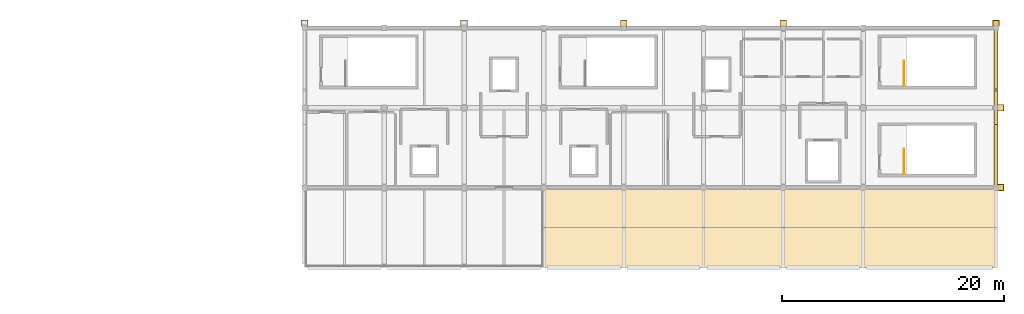
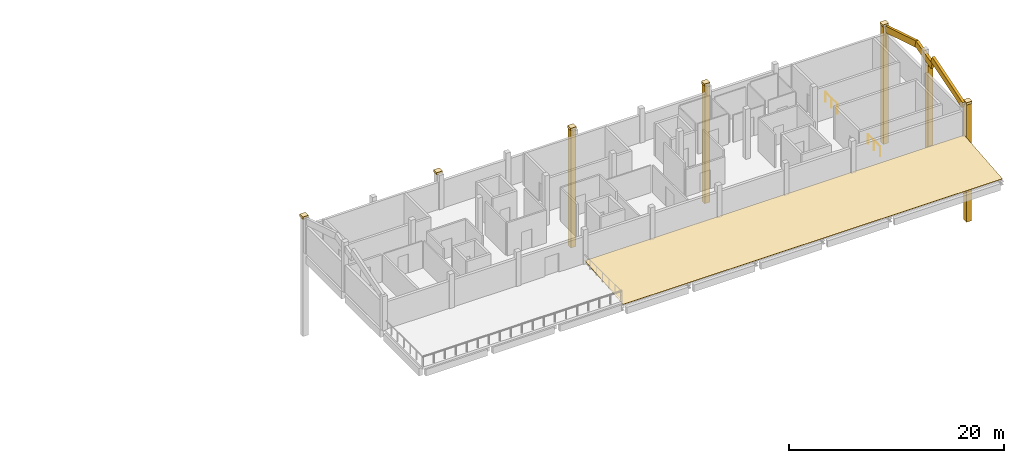
# One storey, part 8 of 8: 16 coverings, 2 railings, 1 element without a shape of its own.
"""IFC4 building model written with IfcOpenShell, lengths in metres."""

import ifcopenshell
import ifcopenshell.guid

model = None  # the IFC model being written
_history = None  # IfcOwnerHistory: only IFC2X3 demands one
_inside = {}  # id of a spatial element -> (the spatial element, [elements in it])
_under = {}  # id of a project, library or spatial element -> (it, [spatial elements below it])
_declared = {}  # id of a project -> (the project, [libraries it declares])
_typed = {}  # id of a type object -> (the type object, [elements of that type])
_made_of = {}  # id of a material, layer set ... -> (it, [elements and type objects made of it])


def new_model(schema):
    """Start an empty IFC model of exactly this schema.

    Asked for "IFC4X3", IfcOpenShell would pick the latest addendum, in which some entities
    have other attributes; the version numbers below select the first issue.
    IFC2X3 requires an IfcOwnerHistory on every rooted entity: one is made here for all.
    """
    global model, _history
    if schema == "IFC4X3":
        model = ifcopenshell.file(schema_version=(4, 3, 0, 0))
    else:
        model = ifcopenshell.file(schema=schema)
    _inside.clear()
    _under.clear()
    _declared.clear()
    _typed.clear()
    _made_of.clear()
    _history = None
    if model.schema == "IFC2X3":
        org = make("IfcOrganization", Name="unknown")
        user = make(
            "IfcPersonAndOrganization",
            ThePerson=make("IfcPerson", FamilyName="unknown"),
            TheOrganization=org,
        )
        app = make(
            "IfcApplication",
            ApplicationDeveloper=org,
            Version="unknown",
            ApplicationFullName="unknown",
            ApplicationIdentifier="unknown",
        )
        _history = make(
            "IfcOwnerHistory",
            OwningUser=user,
            OwningApplication=app,
            ChangeAction="ADDED",
            CreationDate=0,
        )
    return model


def make(cls, **values):
    """One entity of the class cls with the attributes given. An attribute that is None is left unset."""
    return model.create_entity(
        cls, **{name: value for name, value in values.items() if value is not None}
    )


def rooted(cls, **values):
    """An entity with a GlobalId (a new one), such as an element, a storey or a relation."""
    return make(cls, GlobalId=ifcopenshell.guid.new(), OwnerHistory=_history, **values)


def si_unit(unit_type, name, prefix=None):
    """IfcSIUnit, for example si_unit("LENGTHUNIT", "METRE", prefix="MILLI")."""
    return make("IfcSIUnit", UnitType=unit_type, Prefix=prefix, Name=name)


def assignment(units):
    """IfcUnitAssignment: the units of a project."""
    return None if units is None else make("IfcUnitAssignment", Units=units)


def point(xyz):
    """IfcCartesianPoint."""
    return None if xyz is None else make("IfcCartesianPoint", Coordinates=xyz)


def direction(xyz):
    """IfcDirection."""
    return None if xyz is None else make("IfcDirection", DirectionRatios=xyz)


def frame(location, z_axis=None, x_axis=None):
    """IfcAxis2Placement3D, a coordinate frame: its origin and axes. An axis left out is left unset."""
    return make(
        "IfcAxis2Placement3D",
        Location=point(location),
        Axis=direction(z_axis),
        RefDirection=direction(x_axis),
    )


def frame_2d(location, x_axis=None):
    """IfcAxis2Placement2D, a coordinate frame in the plane: its origin and x axis."""
    return make(
        "IfcAxis2Placement2D", Location=point(location), RefDirection=direction(x_axis)
    )


def origin():
    """The frame at (0, 0, 0) with its axes left unset."""
    return frame((0.0, 0.0, 0.0))


def origin_2d():
    """The frame at (0, 0) in the plane with its x axis left unset."""
    return frame_2d((0.0, 0.0))


def place(relative_to, where):
    """IfcLocalPlacement: puts the frame where relative to a parent placement (None: the world)."""
    return make(
        "IfcLocalPlacement", PlacementRelTo=relative_to, RelativePlacement=where
    )


def context(
    kind, dimensions, precision=None, world=None, true_north=None, identifier=None
):
    """IfcGeometricRepresentationContext, for example the 3D "Model" context."""
    return make(
        "IfcGeometricRepresentationContext",
        ContextIdentifier=identifier,
        ContextType=kind,
        CoordinateSpaceDimension=dimensions,
        Precision=precision,
        WorldCoordinateSystem=world,
        TrueNorth=true_north,
    )


def subcontext(parent, identifier, kind, view, scale=None):
    """IfcGeometricRepresentationSubContext, for example "Body" below "Model"."""
    return make(
        "IfcGeometricRepresentationSubContext",
        ContextIdentifier=identifier,
        ContextType=kind,
        ParentContext=parent,
        TargetScale=scale,
        TargetView=view,
    )


def project(units=None, contexts=None):
    """IfcProject with its units and contexts."""
    return rooted(
        "IfcProject",
        Name="project",
        RepresentationContexts=contexts,
        UnitsInContext=assignment(units),
    )


def spatial(cls, under=None, at=None, **own):
    """A site, building, storey or space (cls), placed at a placement, below another one or the project."""
    s = rooted(cls, ObjectPlacement=at, **own)
    if under is not None:
        _under.setdefault(under.id(), (under, []))[1].append(s)
    return s


def polyline(points):
    """IfcPolyline through the points."""
    return make("IfcPolyline", Points=[point(p) for p in points])


def profile(cls, at=None, kind="AREA", **sizes):
    """A parametric profile (cls). Its sizes go by their IFC names, for example OverallWidth=200.0."""
    return make(cls, ProfileType=kind, Position=at, **sizes)


def circle(**sizes):
    """IfcCircleProfileDef."""
    return profile("IfcCircleProfileDef", **sizes)


def outline(outer, holes=None, kind="AREA"):
    """IfcArbitraryClosedProfileDef: a profile drawn as a closed curve; with holes, ...WithVoids."""
    if holes is None:
        return make("IfcArbitraryClosedProfileDef", ProfileType=kind, OuterCurve=outer)
    return make(
        "IfcArbitraryProfileDefWithVoids",
        ProfileType=kind,
        OuterCurve=outer,
        InnerCurves=holes,
    )


def extrude(swept, where, along, depth):
    """IfcExtrudedAreaSolid: the profile swept, set in the frame where, extruded along a direction by depth."""
    return make(
        "IfcExtrudedAreaSolid",
        SweptArea=swept,
        Position=where,
        ExtrudedDirection=direction(along),
        Depth=depth,
    )


def shape(context_of_items, identifier, shape_type, items):
    """IfcShapeRepresentation: the items that make up one representation, for example the "Body"."""
    return make(
        "IfcShapeRepresentation",
        ContextOfItems=context_of_items,
        RepresentationIdentifier=identifier,
        RepresentationType=shape_type,
        Items=items,
    )


def material(Name=None, Category=None):
    """IfcMaterial."""
    return make("IfcMaterial", Name=Name, Category=Category)


def layer(
    of_material, thickness, ventilated=None, Name=None, Category=None, Priority=None
):
    """IfcMaterialLayer: one layer of a wall or slab, of a material (None: an air gap)."""
    return make(
        "IfcMaterialLayer",
        Material=of_material,
        LayerThickness=thickness,
        IsVentilated=ventilated,
        Name=Name,
        Category=Category,
        Priority=Priority,
    )


def layer_set(layers, Name=None):
    """IfcMaterialLayerSet."""
    return make("IfcMaterialLayerSet", MaterialLayers=layers, LayerSetName=Name)


def made_of(thing, what):
    """Note that an element or type object is made of a material, layer set ...; save() writes the relation."""
    if what is not None:
        _made_of.setdefault(what.id(), (what, []))[1].append(thing)
    return thing


def type_object(cls, material=None, **own):
    """A type object (cls), such as IfcWallType, which elements share."""
    return made_of(rooted(cls, **own), material)


def element(
    cls,
    number,
    at=None,
    inside=None,
    cuts=None,
    type_object=None,
    material=None,
    context=None,
    identifier="Body",
    shape_type=None,
    held_by="IfcProductDefinitionShape",
    body=None,
    shapes=None,
    **own,
):
    """One element of the class cls, such as IfcWall. Its Tag is "e" and its number.

    at: its placement. inside: the storey or other place that contains it. cuts: it is an
    opening in that element (IfcRelVoidsElement). A single representation is given by context,
    identifier, shape_type and body (its items); several are given by shapes. held_by: the class
    of the entity that holds the representations. save() writes the other relations.
    """
    e = rooted(cls, Tag="e%d" % number, ObjectPlacement=at, **own)
    if body is not None:
        shapes = [shape(context, identifier, shape_type, body)]
    if shapes is not None:
        e.Representation = make(held_by, Representations=shapes)
    if inside is not None:
        _inside.setdefault(inside.id(), (inside, []))[1].append(e)
    if cuts is not None:
        rooted(
            "IfcRelVoidsElement", RelatingBuildingElement=cuts, RelatedOpeningElement=e
        )
    if type_object is not None:
        _typed.setdefault(type_object.id(), (type_object, []))[1].append(e)
    return made_of(e, material)


def aggregate(whole, parts):
    """IfcRelAggregates: a whole, such as a stair, and the parts it consists of."""
    return rooted("IfcRelAggregates", RelatingObject=whole, RelatedObjects=parts)


def save(model, path):
    """Write the relations noted so far, then the file.

    IfcRelAggregates (storeys below a building ...), IfcRelContainedInSpatialStructure (elements
    in a storey), IfcRelDefinesByType, IfcRelAssociatesMaterial and IfcRelDeclares: one each for
    every whole, place, type object, material and project.
    """
    for whole, parts in _under.values():
        aggregate(whole, parts)
    for where, things in _inside.values():
        rooted(
            "IfcRelContainedInSpatialStructure",
            RelatedElements=things,
            RelatingStructure=where,
        )
    for kind, things in _typed.values():
        rooted("IfcRelDefinesByType", RelatedObjects=things, RelatingType=kind)
    for what, things in _made_of.values():
        rooted("IfcRelAssociatesMaterial", RelatedObjects=things, RelatingMaterial=what)
    for by, libraries in _declared.values():
        rooted("IfcRelDeclares", RelatingContext=by, RelatedDefinitions=libraries)
    model.write(path)


model = new_model("IFC4")

# Units and contexts
model_context = context("Model", 3, precision=1e-05, world=origin(), true_north=direction((0.0, 1.0)))
body_context = subcontext(model_context, "Body", "Model", "MODEL_VIEW")
ifc_project = project(units=[si_unit("LENGTHUNIT", "METRE"), si_unit("AREAUNIT", "SQUARE_METRE"), si_unit("VOLUMEUNIT", "CUBIC_METRE"), si_unit("PLANEANGLEUNIT", "RADIAN"), si_unit("MASSUNIT", "GRAM", prefix="KILO")], contexts=[model_context])

# Site, building, storey
site_placement = place(None, origin())
site = spatial("IfcSite", under=ifc_project, at=site_placement, CompositionType="ELEMENT")
building_placement = place(site_placement, origin())
building = spatial("IfcBuilding", under=site, at=building_placement, Name="Cendralis Lancet Convention Centre", CompositionType="ELEMENT")
storey_placement = place(building_placement, frame((0.0, 0.0, 24.60009765625)))
storey = spatial("IfcBuildingStorey", under=building, at=storey_placement, Name="L05", CompositionType="ELEMENT", Elevation=24.60009765625)

# Coverings
ifc_material_1 = material(Name="Warm buff sandstone chevron cassette", Category="masonry")
ifc_layer_1 = layer(ifc_material_1, 0.06005859375, Name="Warm buff sandstone chevron cassette")
ifc_layer_set_1 = layer_set([ifc_layer_1], Name="Warm buff sandstone chevron cassette")
covering_type_1 = type_object("IfcCoveringType", Name="ARC-CV-CLAD1", PredefinedType="CLADDING", material=ifc_layer_set_1)
covering_1_placement = place(storey_placement, frame((208.659912109375, 21.60009765625, 3.919921875), z_axis=(0.0, -0.295031857828, 0.955487416383), x_axis=(1.0, 0.0, 0.0)))
element("IfcCovering", 1, at=covering_1_placement, inside=storey, type_object=covering_type_1, Name="Cordillera Crown Stone Gable Spandrel S-209", PredefinedType="CLADDING", context=body_context, shape_type="SweptSolid", body=[
    extrude(outline(polyline([(0.0, 0.0), (0.280029296875, 0.0), (0.280029296875, 5.965490569672753), (0.0, 5.965490569672753), (0.0, 0.0)])), origin(), (0.0, 0.0, -1.0), 0.719970703125),
])
covering_2_placement = place(storey_placement, frame((208.659912109375, 27.300048828125, 4.919921875), z_axis=(0.0, -0.245578582691, 0.969376686187), x_axis=(1.0, 0.0, 0.0)))
element("IfcCovering", 2, at=covering_2_placement, inside=storey, type_object=covering_type_1, Name="Cordillera Crown Stone Gable Spandrel M-209", PredefinedType="CLADDING", context=body_context, shape_type="SweptSolid", body=[
    extrude(outline(polyline([(0.0, 0.0), (0.280029296875, 0.0), (0.280029296875, 3.09477217963542), (0.0, 3.09477217963542), (0.0, 0.0)])), origin(), (0.0, 0.0, -1.0), 0.719970703125),
])
covering_3_placement = place(storey_placement, frame((208.659912109375, 30.300048828125, 5.679931640625), z_axis=(0.0, 0.295031857828, 0.955487416383), x_axis=(1.0, 0.0, 0.0)))
element("IfcCovering", 3, at=covering_3_placement, inside=storey, type_object=covering_type_1, Name="Cordillera Crown Stone Gable Spandrel N-209", PredefinedType="CLADDING", context=body_context, shape_type="SweptSolid", body=[
    extrude(outline(polyline([(0.0, 0.0), (0.280029296875, 0.0), (0.280029296875, 5.965490569672753), (0.0, 5.965490569672753), (0.0, 0.0)])), origin(), (0.0, 0.0, -1.0), 0.719970703125),
])
covering_4_placement = place(storey_placement, frame((0.0, 0.0, -9.60009765625)))
element("IfcCovering", 4, at=covering_4_placement, inside=storey, type_object=covering_type_1, Name="Gothic Stepped Stone Buttress Shaft #0083", PredefinedType="CLADDING", context=body_context, shape_type="SweptSolid", body=[
    extrude(outline(polyline([(175.47998046875, 36.659912109375), (174.919921875, 36.659912109375), (174.919921875, 36.1298828125), (175.47998046875, 36.1298828125), (175.47998046875, 36.659912109375)])), origin(), (0.0, 0.0, 1.0), 13.35009765625),
])
covering_5_placement = place(storey_placement, frame((0.0, 0.0, -9.60009765625)))
element("IfcCovering", 5, at=covering_5_placement, inside=storey, type_object=covering_type_1, Name="Gothic Stepped Stone Buttress Shaft #0084", PredefinedType="CLADDING", context=body_context, shape_type="SweptSolid", body=[
    extrude(outline(polyline([(189.8798828125, 36.659912109375), (189.320068359375, 36.659912109375), (189.320068359375, 36.1298828125), (189.8798828125, 36.1298828125), (189.8798828125, 36.659912109375)])), origin(), (0.0, 0.0, 1.0), 13.35009765625),
])
covering_6_placement = place(storey_placement, frame((0.0, 0.0, -9.60009765625)))
element("IfcCovering", 6, at=covering_6_placement, inside=storey, type_object=covering_type_1, Name="Gothic Stepped Stone Buttress Shaft #0085", PredefinedType="CLADDING", context=body_context, shape_type="SweptSolid", body=[
    extrude(outline(polyline([(209.080078125, 36.659912109375), (208.52001953125, 36.659912109375), (208.52001953125, 36.1298828125), (209.080078125, 36.1298828125), (209.080078125, 36.659912109375)])), origin(), (0.0, 0.0, 1.0), 13.35009765625),
])
covering_7_placement = place(storey_placement, frame((0.0, 0.0, -9.60009765625)))
element("IfcCovering", 7, at=covering_7_placement, inside=storey, type_object=covering_type_1, Name="Gothic Stepped Stone Buttress Shaft #0087", PredefinedType="CLADDING", context=body_context, shape_type="SweptSolid", body=[
    extrude(outline(polyline([(209.4599609375, 21.320068359375), (209.4599609375, 21.8798828125), (208.929931640625, 21.8798828125), (208.929931640625, 21.320068359375), (209.4599609375, 21.320068359375)])), origin(), (0.0, 0.0, 1.0), 13.35009765625),
])
covering_8_placement = place(storey_placement, frame((0.0, 0.0, -9.60009765625)))
element("IfcCovering", 8, at=covering_8_placement, inside=storey, type_object=covering_type_1, Name="Gothic Stepped Stone Buttress Shaft #0088", PredefinedType="CLADDING", context=body_context, shape_type="SweptSolid", body=[
    extrude(outline(polyline([(209.4599609375, 28.52001953125), (209.4599609375, 29.080078125), (208.929931640625, 29.080078125), (208.929931640625, 28.52001953125), (209.4599609375, 28.52001953125)])), origin(), (0.0, 0.0, 1.0), 13.35009765625),
])
ifc_material_2 = material(Name="Dark Andean slate chevron cassette", Category="masonry")
ifc_layer_2 = layer(ifc_material_2, 0.06005859375, Name="Dark Andean slate chevron cassette")
ifc_layer_set_2 = layer_set([ifc_layer_2], Name="Dark Andean slate chevron cassette")
covering_type_2 = type_object("IfcCoveringType", Name="ARC-CV-CLAD2", PredefinedType="CLADDING", material=ifc_layer_set_2)
covering_9_placement = place(storey_placement, frame((0.0, 0.0, 3.75)))
element("IfcCovering", 9, at=covering_9_placement, inside=storey, type_object=covering_type_2, Name="Gothic Buttress Slate Pinnacle Cap #0081", PredefinedType="CLADDING", context=body_context, shape_type="SweptSolid", body=[
    extrude(outline(polyline([(146.7099609375, 36.719970703125), (146.090087890625, 36.719970703125), (146.090087890625, 36.1298828125), (146.7099609375, 36.1298828125), (146.7099609375, 36.719970703125)])), origin(), (0.0, 0.0, 1.0), 0.260009765625),
])
covering_10_placement = place(storey_placement, frame((0.0, 0.0, 3.75)))
element("IfcCovering", 10, at=covering_10_placement, inside=storey, type_object=covering_type_2, Name="Gothic Buttress Slate Pinnacle Cap #0082", PredefinedType="CLADDING", context=body_context, shape_type="SweptSolid", body=[
    extrude(outline(polyline([(161.110107421875, 36.719970703125), (160.489990234375, 36.719970703125), (160.489990234375, 36.1298828125), (161.110107421875, 36.1298828125), (161.110107421875, 36.719970703125)])), origin(), (0.0, 0.0, 1.0), 0.260009765625),
])
covering_11_placement = place(storey_placement, frame((0.0, 0.0, 3.75)))
element("IfcCovering", 11, at=covering_11_placement, inside=storey, type_object=covering_type_2, Name="Gothic Buttress Slate Pinnacle Cap #0083", PredefinedType="CLADDING", context=body_context, shape_type="SweptSolid", body=[
    extrude(outline(polyline([(175.510009765625, 36.719970703125), (174.889892578125, 36.719970703125), (174.889892578125, 36.1298828125), (175.510009765625, 36.1298828125), (175.510009765625, 36.719970703125)])), origin(), (0.0, 0.0, 1.0), 0.260009765625),
])
covering_12_placement = place(storey_placement, frame((0.0, 0.0, 3.75)))
element("IfcCovering", 12, at=covering_12_placement, inside=storey, type_object=covering_type_2, Name="Gothic Buttress Slate Pinnacle Cap #0084", PredefinedType="CLADDING", context=body_context, shape_type="SweptSolid", body=[
    extrude(outline(polyline([(189.909912109375, 36.719970703125), (189.2900390625, 36.719970703125), (189.2900390625, 36.1298828125), (189.909912109375, 36.1298828125), (189.909912109375, 36.719970703125)])), origin(), (0.0, 0.0, 1.0), 0.260009765625),
])
covering_13_placement = place(storey_placement, frame((0.0, 0.0, 3.75)))
element("IfcCovering", 13, at=covering_13_placement, inside=storey, type_object=covering_type_2, Name="Gothic Buttress Slate Pinnacle Cap #0085", PredefinedType="CLADDING", context=body_context, shape_type="SweptSolid", body=[
    extrude(outline(polyline([(209.110107421875, 36.719970703125), (208.489990234375, 36.719970703125), (208.489990234375, 36.1298828125), (209.110107421875, 36.1298828125), (209.110107421875, 36.719970703125)])), origin(), (0.0, 0.0, 1.0), 0.260009765625),
])
covering_14_placement = place(storey_placement, frame((0.0, 0.0, 3.75)))
element("IfcCovering", 14, at=covering_14_placement, inside=storey, type_object=covering_type_2, Name="Gothic Buttress Slate Pinnacle Cap #0087", PredefinedType="CLADDING", context=body_context, shape_type="SweptSolid", body=[
    extrude(outline(polyline([(209.52001953125, 21.2900390625), (209.52001953125, 21.909912109375), (208.929931640625, 21.909912109375), (208.929931640625, 21.2900390625), (209.52001953125, 21.2900390625)])), origin(), (0.0, 0.0, 1.0), 0.260009765625),
])
covering_15_placement = place(storey_placement, frame((0.0, 0.0, 3.75)))
element("IfcCovering", 15, at=covering_15_placement, inside=storey, type_object=covering_type_2, Name="Gothic Buttress Slate Pinnacle Cap #0088", PredefinedType="CLADDING", context=body_context, shape_type="SweptSolid", body=[
    extrude(outline(polyline([(209.52001953125, 28.489990234375), (209.52001953125, 29.110107421875), (208.929931640625, 29.110107421875), (208.929931640625, 28.489990234375), (209.52001953125, 28.489990234375)])), origin(), (0.0, 0.0, 1.0), 0.260009765625),
])

# Roof, covering
ifc_material_3 = material(Name="Patinated standing-seam zinc roofing")
ifc_layer_3 = layer(ifc_material_3, 0.139892578125, Name="Patinated standing-seam zinc roofing")
ifc_layer_set_3 = layer_set([ifc_layer_3], Name="Patinated standing-seam zinc roofing")
roof_type = type_object("IfcRoofType", Name="ARC-RF-HIP", PredefinedType="HIP_ROOF", material=ifc_layer_set_3)
roof_placement = place(storey_placement, origin())
roof = element("IfcRoof", 16, at=roof_placement, inside=storey, type_object=roof_type, Name="Dining Wing Sloped Gothic Zinc Apron Roof", PredefinedType="HIP_ROOF")
ifc_layer_4 = layer(ifc_material_3, 0.0400390625, Name="Patinated standing-seam zinc roofing")
ifc_layer_set_4 = layer_set([ifc_layer_4], Name="Patinated standing-seam zinc roofing")
covering_type_3 = type_object("IfcCoveringType", Name="ARC-CV-ZINC", PredefinedType="ROOFING", material=ifc_layer_set_4)
covering_16_placement = place(storey_placement, frame((168.0, 14.39990234375, -0.3994140625), z_axis=(0.0, -0.090428584837, 0.995902942582), x_axis=(1.0, 0.0, 0.0)))
covering_16 = element("IfcCovering", 17, at=covering_16_placement, type_object=covering_type_3, Name="Dining Wing Pitched Apron Zinc Roofing", PredefinedType="ROOFING", context=body_context, shape_type="SweptSolid", body=[
    extrude(outline(polyline([(0.0, 0.0), (40.800048828125, 0.0), (40.800048828125, 7.1896125052438835), (0.0, 7.1896125052438835), (0.0, 0.0)])), origin(), (0.0, 0.0, -1.0), 0.0400390625),
])
aggregate(roof, [covering_16])

# Railings
ifc_material_4 = material(Name="Steel S355", Category="steel")
railing_type = type_object("IfcRailingType", Name="ARC-RL-CGD", PredefinedType="GUARDRAIL", material=ifc_material_4)
for number, where, name in (
    (18, (200.5, 22.800048828125, 0.0), "L05 ST-15 top well guard 1"),
    (19, (200.5, 30.75, 0.0), "L05 ST-16 top well guard 1"),
):
    element("IfcRailing", number, at=place(storey_placement, frame(where)), inside=storey, type_object=railing_type, Name=name, PredefinedType="GUARDRAIL", context=body_context, shape_type="SweptSolid", body=[
        extrude(circle(Radius=0.02392578125, at=origin_2d()), frame((0.0, 0.0, 1.076171875), z_axis=(0.0, 1.0, 0.0), x_axis=(-1.0, 0.0, 0.0)), (0.0, 0.0, 1.0), 2.280029296875),
        extrude(circle(Radius=0.02099609375, at=origin_2d()), origin(), (0.0, 0.0, 1.0), 1.052001953125),
        extrude(circle(Radius=0.02099609375, at=origin_2d()), frame((0.0, 1.14013671875, 0.0)), (0.0, 0.0, 1.0), 1.052001953125),
        extrude(circle(Radius=0.02099609375, at=origin_2d()), frame((0.0, 2.280029296875, 0.0)), (0.0, 0.0, 1.0), 1.052001953125),
    ])

save(model, "model.ifc")
